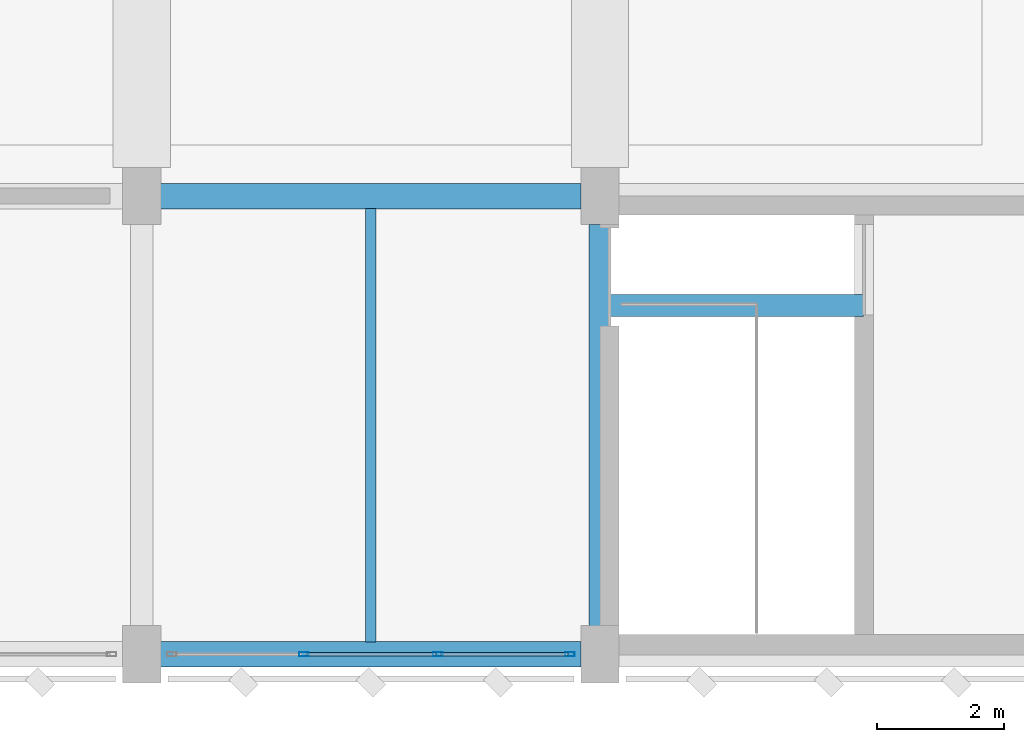
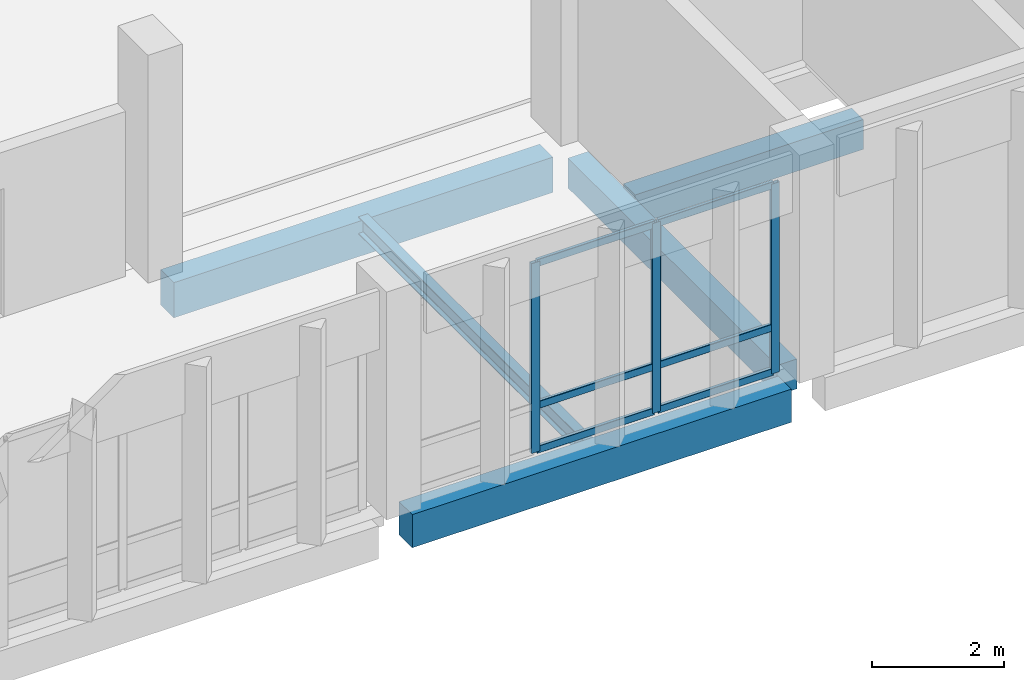
# One storey, part 78 of 158: 9 members, 5 beams, 1 element without a shape of its own.
"""IFC4 building model written with IfcOpenShell, lengths in metres."""

from ifc_helpers import new_model, si_unit, direction, frame, origin, origin_2d, place, context, subcontext, project, spatial, rectangle, hollow_rectangle, i_section, extrude, material, material_profile, profile_set, type_object, element, aggregate, save


model = new_model("IFC4")

# Units and contexts
model_context = context("Model", 3, precision=1e-05, world=origin(), true_north=direction((0.0, 1.0)))
body_context = subcontext(model_context, "Body", "Model", "MODEL_VIEW")
ifc_project = project(units=[si_unit("LENGTHUNIT", "METRE"), si_unit("AREAUNIT", "SQUARE_METRE"), si_unit("VOLUMEUNIT", "CUBIC_METRE"), si_unit("PLANEANGLEUNIT", "RADIAN"), si_unit("MASSUNIT", "GRAM", prefix="KILO")], contexts=[model_context])

# Site, building, storey
site_placement = place(None, origin())
site = spatial("IfcSite", under=ifc_project, at=site_placement, CompositionType="ELEMENT")
building_placement = place(site_placement, origin())
building = spatial("IfcBuilding", under=site, at=building_placement, Name="Lusvemor Sports Hall", CompositionType="ELEMENT")
storey_placement = place(building_placement, frame((0.0, 0.0, 10.800048828125)))
storey = spatial("IfcBuildingStorey", under=building, at=storey_placement, Name="L02", CompositionType="ELEMENT", Elevation=10.800048828125)

# Beams
ifc_material_1 = material(Name="Concrete C40/50", Category="concrete")
ifc_material_profile_1 = material_profile(ifc_material_1, rectangle(XDim=0.35009765625, YDim=0.550048828125, at=origin_2d()), Name="RC350x550")
ifc_profile_set_1 = profile_set([ifc_material_profile_1], Name="Concrete C40/50")
beam_type_1 = type_object("IfcBeamType", Name="BEAM_RC_550", PredefinedType="BEAM", material=ifc_profile_set_1)
beam_1_placement = place(storey_placement, frame((162.0, 0.446044921875, -0.53515625), z_axis=(0.0, 1.0, 0.0), x_axis=(-1.0, 0.0, 0.0)))
element("IfcBeam", 1, at=beam_1_placement, inside=storey, type_object=beam_type_1, Name="Beam L02 19:A-B", PredefinedType="BEAM", context=body_context, shape_type="SweptSolid", body=[
    extrude(rectangle(XDim=0.35009765625, YDim=0.550048828125, at=origin_2d()), origin(), (0.0, 0.0, 1.0), 6.307861328125),
])
beam_2_placement = place(storey_placement, frame((162.159912109375, 5.47998046875, -0.455078125), z_axis=(1.0, 0.0, 0.0), x_axis=(0.0, 1.0, 0.0)))
element("IfcBeam", 2, at=beam_2_placement, inside=storey, type_object=beam_type_1, Name="Stair STR-C8-L01 Top-Landing Beam", PredefinedType="BEAM", context=body_context, shape_type="SweptSolid", body=[
    extrude(rectangle(XDim=0.35009765625, YDim=0.550048828125, at=origin_2d()), origin(), (0.0, 0.0, 1.0), 3.97998046875),
])
ifc_material_2 = material(Name="Concrete C40/50", Category="concrete")
ifc_material_profile_2 = material_profile(ifc_material_2, rectangle(XDim=0.39990234375, YDim=0.64990234375, at=origin_2d()), Name="RC400x650")
ifc_profile_set_2 = profile_set([ifc_material_profile_2], Name="Concrete C40/50")
beam_type_2 = type_object("IfcBeamType", Name="BEAM_RC_650", PredefinedType="BEAM", material=ifc_profile_set_2)
beam_3_placement = place(storey_placement, frame((155.095947265625, 7.199951171875, -0.675048828125), z_axis=(1.0, 0.0, 0.0), x_axis=(0.0, 1.0, 0.0)))
element("IfcBeam", 3, at=beam_3_placement, inside=storey, type_object=beam_type_2, Name="Beam L02 B:18-19", PredefinedType="BEAM", context=body_context, shape_type="SweptSolid", body=[
    extrude(rectangle(XDim=0.39990234375, YDim=0.64990234375, at=origin_2d()), origin(), (0.0, 0.0, 1.0), 6.608154296875),
])

# Curtain wall, members
ifc_material_3 = material(Name="Thermally broken bronze-anodized aluminium", Category="aluminium")
curtain_wall_type = type_object("IfcCurtainWallType", Name="CW_COURT_C", PredefinedType="NOTDEFINED", material=ifc_material_3)
curtain_wall_placement = place(storey_placement, origin())
curtain_wall = element("IfcCurtainWall", 4, at=curtain_wall_placement, inside=storey, type_object=curtain_wall_type, Name="Curtain Wall CW-V2S-L02-5", PredefinedType="NOTDEFINED")
ifc_material_4 = material(Name="Thermally broken bronze-anodized aluminium", Category="aluminium")
ifc_material_profile_3 = material_profile(ifc_material_4, hollow_rectangle(XDim=0.06494140625, YDim=0.14990234375, WallThickness=0.00390625, InnerFilletRadius=0.00390625, OuterFilletRadius=0.008056640625, at=origin_2d()), Name="CWMUL150x65x4")
ifc_profile_set_3 = profile_set([ifc_material_profile_3], Name="Thermally broken bronze-anodized aluminium")
member_type_1 = type_object("IfcMemberType", Name="CW_MUL_B", PredefinedType="MULLION", material=ifc_profile_set_3)
member_1_placement = place(storey_placement, frame((161.527587890625, 0.0, 0.0), z_axis=(0.0, 0.0, 1.0), x_axis=(0.0, -1.0, 0.0)))
member_1 = element("IfcMember", 5, at=member_1_placement, type_object=member_type_1, Name="CW03 mullion 1", PredefinedType="MULLION", context=body_context, shape_type="SweptSolid", body=[
    extrude(hollow_rectangle(XDim=0.06494140625, YDim=0.14990234375, WallThickness=0.00390625, InnerFilletRadius=0.00390625, OuterFilletRadius=0.008056640625, at=origin_2d()), origin(), (0.0, 0.0, 1.0), 3.5),
])
member_2_placement = place(storey_placement, frame((159.453369140625, 0.0, 0.0), z_axis=(0.0, 0.0, 1.0), x_axis=(0.0, -1.0, 0.0)))
member_2 = element("IfcMember", 6, at=member_2_placement, type_object=member_type_1, Name="CW03 mullion 2", PredefinedType="MULLION", context=body_context, shape_type="SweptSolid", body=[
    extrude(hollow_rectangle(XDim=0.06494140625, YDim=0.14990234375, WallThickness=0.00390625, InnerFilletRadius=0.00390625, OuterFilletRadius=0.008056640625, at=origin_2d()), origin(), (0.0, 0.0, 1.0), 3.5),
])
member_3_placement = place(storey_placement, frame((157.3466796875, 0.0, 0.0), z_axis=(0.0, 0.0, 1.0), x_axis=(0.0, -1.0, 0.0)))
member_3 = element("IfcMember", 7, at=member_3_placement, type_object=member_type_1, Name="CW03 mullion 3", PredefinedType="MULLION", context=body_context, shape_type="SweptSolid", body=[
    extrude(hollow_rectangle(XDim=0.06494140625, YDim=0.14990234375, WallThickness=0.00390625, InnerFilletRadius=0.00390625, OuterFilletRadius=0.008056640625, at=origin_2d()), origin(), (0.0, 0.0, 1.0), 3.5),
])
ifc_material_5 = material(Name="Thermally broken bronze-anodized aluminium", Category="aluminium")
ifc_material_profile_4 = material_profile(ifc_material_5, hollow_rectangle(XDim=0.06005859375, YDim=0.135009765625, WallThickness=0.00390625, InnerFilletRadius=0.00390625, OuterFilletRadius=0.008056640625, at=origin_2d()), Name="CWTRN135x60x4")
ifc_profile_set_4 = profile_set([ifc_material_profile_4], Name="Thermally broken bronze-anodized aluminium")
member_type_2 = type_object("IfcMemberType", Name="CW_TRN_B", PredefinedType="USERDEFINED", material=ifc_profile_set_4)
member_4_placement = place(storey_placement, frame((161.4951171875, 0.0, 0.030029296875), z_axis=(-1.0, 0.0, 0.0), x_axis=(0.0, -1.0, 0.0)))
member_4 = element("IfcMember", 8, at=member_4_placement, type_object=member_type_2, Name="CW03 transom 1.1", ObjectType="TRANSOM", PredefinedType="USERDEFINED", context=body_context, shape_type="SweptSolid", body=[
    extrude(hollow_rectangle(XDim=0.06005859375, YDim=0.135009765625, WallThickness=0.00390625, InnerFilletRadius=0.00390625, OuterFilletRadius=0.008056640625, at=origin_2d()), origin(), (0.0, 0.0, 1.0), 2.00927734375),
])
member_5_placement = place(storey_placement, frame((161.4951171875, 0.0, 0.849853515625), z_axis=(-1.0, 0.0, 0.0), x_axis=(0.0, -1.0, 0.0)))
member_5 = element("IfcMember", 9, at=member_5_placement, type_object=member_type_2, Name="CW03 transom 1.2", ObjectType="TRANSOM", PredefinedType="USERDEFINED", context=body_context, shape_type="SweptSolid", body=[
    extrude(hollow_rectangle(XDim=0.06005859375, YDim=0.135009765625, WallThickness=0.00390625, InnerFilletRadius=0.00390625, OuterFilletRadius=0.008056640625, at=origin_2d()), origin(), (0.0, 0.0, 1.0), 2.00927734375),
])
member_6_placement = place(storey_placement, frame((161.4951171875, 0.0, 3.469970703125), z_axis=(-1.0, 0.0, 0.0), x_axis=(0.0, -1.0, 0.0)))
member_6 = element("IfcMember", 10, at=member_6_placement, type_object=member_type_2, Name="CW03 transom 1.3", ObjectType="TRANSOM", PredefinedType="USERDEFINED", context=body_context, shape_type="SweptSolid", body=[
    extrude(hollow_rectangle(XDim=0.06005859375, YDim=0.135009765625, WallThickness=0.00390625, InnerFilletRadius=0.00390625, OuterFilletRadius=0.008056640625, at=origin_2d()), origin(), (0.0, 0.0, 1.0), 2.00927734375),
])
member_7_placement = place(storey_placement, frame((159.4208984375, 0.0, 0.030029296875), z_axis=(-1.0, 0.0, 0.0), x_axis=(0.0, -1.0, 0.0)))
member_7 = element("IfcMember", 11, at=member_7_placement, type_object=member_type_2, Name="CW03 transom 2.1", ObjectType="TRANSOM", PredefinedType="USERDEFINED", context=body_context, shape_type="SweptSolid", body=[
    extrude(hollow_rectangle(XDim=0.06005859375, YDim=0.135009765625, WallThickness=0.00390625, InnerFilletRadius=0.00390625, OuterFilletRadius=0.008056640625, at=origin_2d()), origin(), (0.0, 0.0, 1.0), 2.041748046875),
])
member_8_placement = place(storey_placement, frame((159.4208984375, 0.0, 0.849853515625), z_axis=(-1.0, 0.0, 0.0), x_axis=(0.0, -1.0, 0.0)))
member_8 = element("IfcMember", 12, at=member_8_placement, type_object=member_type_2, Name="CW03 transom 2.2", ObjectType="TRANSOM", PredefinedType="USERDEFINED", context=body_context, shape_type="SweptSolid", body=[
    extrude(hollow_rectangle(XDim=0.06005859375, YDim=0.135009765625, WallThickness=0.00390625, InnerFilletRadius=0.00390625, OuterFilletRadius=0.008056640625, at=origin_2d()), origin(), (0.0, 0.0, 1.0), 2.041748046875),
])
member_9_placement = place(storey_placement, frame((159.4208984375, 0.0, 3.469970703125), z_axis=(-1.0, 0.0, 0.0), x_axis=(0.0, -1.0, 0.0)))
member_9 = element("IfcMember", 13, at=member_9_placement, type_object=member_type_2, Name="CW03 transom 2.3", ObjectType="TRANSOM", PredefinedType="USERDEFINED", context=body_context, shape_type="SweptSolid", body=[
    extrude(hollow_rectangle(XDim=0.06005859375, YDim=0.135009765625, WallThickness=0.00390625, InnerFilletRadius=0.00390625, OuterFilletRadius=0.008056640625, at=origin_2d()), origin(), (0.0, 0.0, 1.0), 2.041748046875),
])
aggregate(curtain_wall, [member_1, member_2, member_3, member_4, member_5, member_6, member_7, member_8, member_9])

# Beams
ifc_material_6 = material(Name="Steel S355", Category="steel")
ifc_material_profile_5 = material_profile(ifc_material_6, i_section(OverallWidth=0.1669921875, OverallDepth=0.31689453125, WebThickness=0.007568359375, FlangeThickness=0.01318359375, FilletRadius=0.014892578125, at=origin_2d()), Name="W310x52.0")
ifc_profile_set_5 = profile_set([ifc_material_profile_5], Name="Steel S355")
beam_type_3 = type_object("IfcBeamType", Name="JOIST_ST_310M", PredefinedType="JOIST", material=ifc_profile_set_5)
beam_4_placement = place(storey_placement, frame((158.39990234375, 0.196044921875, -0.422607421875), z_axis=(0.0, 1.0, 0.0), x_axis=(-1.0, 0.0, 0.0)))
element("IfcBeam", 14, at=beam_4_placement, inside=storey, type_object=beam_type_3, Name="Secondary Joist L02 18-19/A-B #1", PredefinedType="JOIST", context=body_context, shape_type="SweptSolid", body=[
    extrude(i_section(OverallWidth=0.1669921875, OverallDepth=0.31689453125, WebThickness=0.007568359375, FlangeThickness=0.01318359375, FilletRadius=0.014892578125, at=origin_2d()), origin(), (0.0, 0.0, 1.0), 6.807861328125),
])
ifc_material_7 = material(Name="Concrete C40/50", Category="concrete")
ifc_material_profile_6 = material_profile(ifc_material_7, rectangle(XDim=0.39990234375, YDim=0.610107421875, at=origin_2d()), Name="RC400x610")
ifc_profile_set_6 = profile_set([ifc_material_profile_6], Name="Concrete C40/50")
beam_type_4 = type_object("IfcBeamType", Name="SPAND_EXT_650", PredefinedType="SPANDREL", material=ifc_profile_set_6)
beam_5_placement = place(storey_placement, frame((155.095947265625, 0.0, -0.56494140625), z_axis=(1.0, 0.0, 0.0), x_axis=(0.0, 1.0, 0.0)))
element("IfcBeam", 15, at=beam_5_placement, inside=storey, type_object=beam_type_4, Name="Beam L02 A:18-19", PredefinedType="SPANDREL", context=body_context, shape_type="SweptSolid", body=[
    extrude(rectangle(XDim=0.39990234375, YDim=0.610107421875, at=origin_2d()), origin(), (0.0, 0.0, 1.0), 6.608154296875),
])

save(model, "model.ifc")
